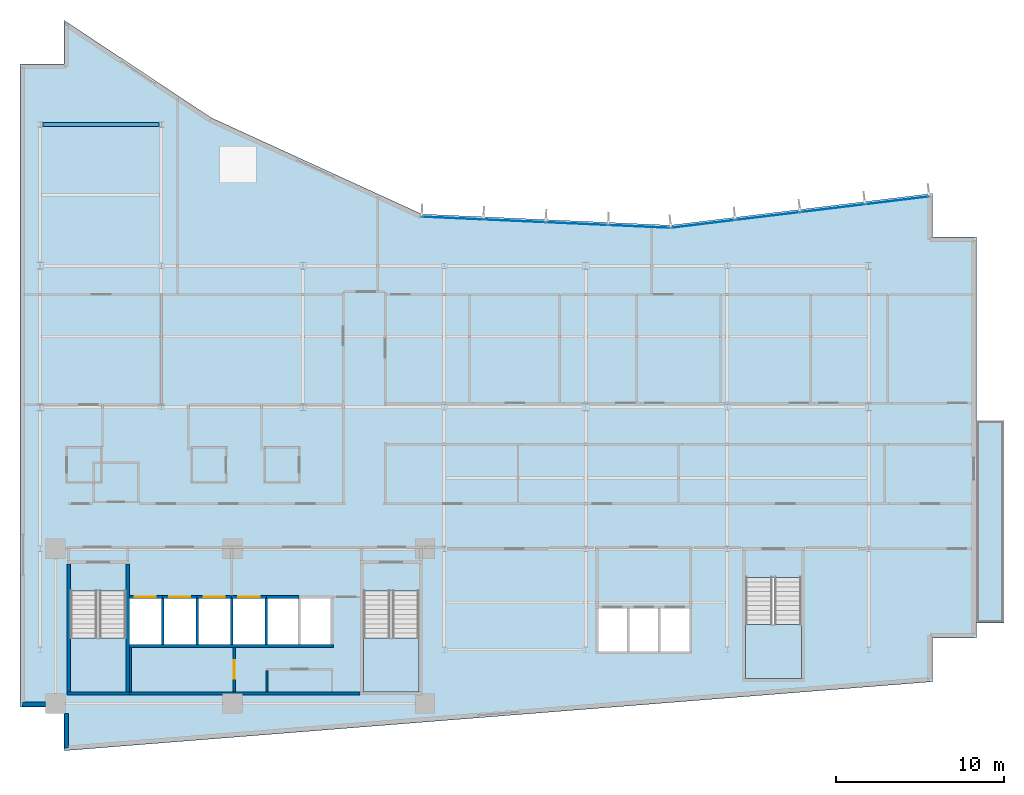
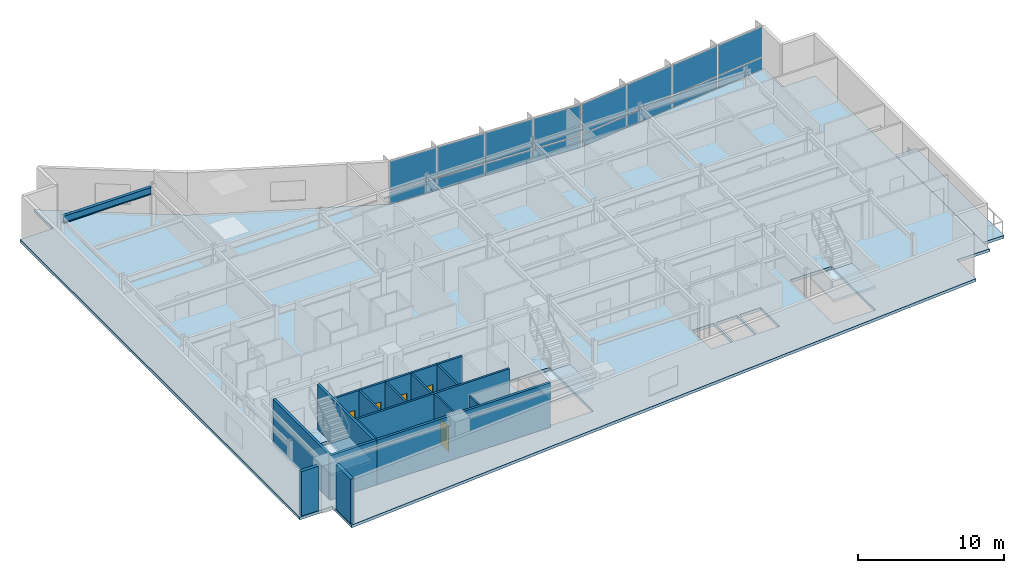
# One storey, part 9 of 18: 19 walls, 16 plates, 5 doors, 5 slabs, 1 beam, 5 openings, 5 elements without a shape of their own.
"""IFC4 building model written with IfcOpenShell, lengths in metres."""

from ifc_helpers import new_model, si_unit, direction, frame, frame_2d, origin, origin_2d, place, context, subcontext, project, spatial, polyline, rectangle, i_section, outline, extrude, material, layer, layer_set, material_profile, profile_set, type_object, element, fill, aggregate, save


model = new_model("IFC4")

# Units and contexts
model_context = context("Model", 3, precision=1e-05, world=origin(), true_north=direction((0.0, 1.0)))
body_context = subcontext(model_context, "Body", "Model", "MODEL_VIEW")
ifc_project = project(units=[si_unit("LENGTHUNIT", "METRE"), si_unit("AREAUNIT", "SQUARE_METRE"), si_unit("VOLUMEUNIT", "CUBIC_METRE"), si_unit("PLANEANGLEUNIT", "RADIAN"), si_unit("MASSUNIT", "GRAM", prefix="KILO")], contexts=[model_context])

# Site, building, storey
site_placement = place(None, origin())
site = spatial("IfcSite", under=ifc_project, at=site_placement, CompositionType="ELEMENT")
building_placement = place(site_placement, origin())
building = spatial("IfcBuilding", under=site, at=building_placement, Name="Varnakote Quay Hospital", CompositionType="ELEMENT")
storey_placement = place(building_placement, frame((0.0, 0.0, 150.75)))
storey = spatial("IfcBuildingStorey", under=building, at=storey_placement, Name="L37", CompositionType="ELEMENT", Elevation=150.75)

# Beam
ifc_material_1 = material(Name="Structural steel AS/NZS 3679.1 Grade 350 L0 (fy 340 MPa)", Category="steel")
ifc_material_profile = material_profile(ifc_material_1, i_section(OverallWidth=0.22802734375, OverallDepth=0.60205078125, WebThickness=0.010498046875, FlangeThickness=0.014892578125, FilletRadius=0.013916015625, at=origin_2d()), Name="610UB101")
ifc_profile_set = profile_set([ifc_material_profile], Name="Structural steel AS/NZS 3679.1 Grade 350 L0 (fy 340 MPa)")
beam_type = type_object("IfcBeamType", Name="BM-STL-610UB101", PredefinedType="BEAM", material=ifc_profile_set)
beam_placement = place(storey_placement, frame((1.353515625, 37.199951171875, 3.408935546875), z_axis=(1.0, 0.0, 0.0), x_axis=(0.0, 1.0, 0.0)))
element("IfcBeam", 1, at=beam_placement, inside=storey, type_object=beam_type, Name="L37 Primary Floor Beam", PredefinedType="BEAM", context=body_context, shape_type="SweptSolid", body=[
    extrude(i_section(OverallWidth=0.22802734375, OverallDepth=0.60205078125, WebThickness=0.010498046875, FlangeThickness=0.014892578125, FilletRadius=0.013916015625, at=origin_2d()), origin(), (0.0, 0.0, 1.0), 6.89306640625),
])

# Curtain wall, plates
ifc_material_2 = material(Name="Anodised aluminium 6063-T6 Bronze", Category="aluminium")
ifc_layer_1 = layer(ifc_material_2, 0.205078125)
ifc_layer_set_1 = layer_set([ifc_layer_1], Name="Anodised aluminium 6063-T6 Bronze")
curtain_wall_type = type_object("IfcCurtainWallType", Name="CW-SYS-3", PredefinedType="NOTDEFINED", material=ifc_layer_set_1)
curtain_wall_1_placement = place(storey_placement, origin())
curtain_wall_1 = element("IfcCurtainWall", 2, at=curtain_wall_1_placement, inside=storey, type_object=curtain_wall_type, Name="L37 Unitised Bronze Curtain Wall 1", PredefinedType="NOTDEFINED")
ifc_material_3 = material(Name="Double-glazed low-E solar glass", Category="glass")
ifc_layer_2 = layer(ifc_material_3, 0.028076171875)
ifc_layer_set_2 = layer_set([ifc_layer_2], Name="Double-glazed low-E solar glass")
plate_type = type_object("IfcPlateType", Name="CW-PNL-GLZ-28", PredefinedType="CURTAIN_PANEL", material=ifc_layer_set_2)
plate_1_placement = place(storey_placement, frame((52.09521484375, 32.68359375, 0.0751953125), z_axis=(0.0, 0.0, 1.0), x_axis=(-0.992734295067, -0.12032713492, 0.0)))
plate_1 = element("IfcPlate", 3, at=plate_1_placement, type_object=plate_type, Name="-3-L37-1 panel 1.1", PredefinedType="CURTAIN_PANEL", context=body_context, shape_type="SweptSolid", body=[
    extrude(rectangle(XDim=3.76806640625, YDim=0.028076171875, at=origin_2d()), origin(), (0.0, 0.0, 1.0), 0.987548828125),
])
plate_2_placement = place(storey_placement, frame((52.09521484375, 32.68359375, 1.137451171875), z_axis=(0.0, 0.0, 1.0), x_axis=(-0.992734295067, -0.12032713492, 0.0)))
plate_2 = element("IfcPlate", 4, at=plate_2_placement, type_object=plate_type, Name="-3-L37-1 panel 1.2", PredefinedType="CURTAIN_PANEL", context=body_context, shape_type="SweptSolid", body=[
    extrude(rectangle(XDim=3.76806640625, YDim=0.028076171875, at=origin_2d()), origin(), (0.0, 0.0, 1.0), 2.49755859375),
])
plate_3_placement = place(storey_placement, frame((48.26123046875, 32.218994140625, 0.0751953125), z_axis=(0.0, 0.0, 1.0), x_axis=(-0.992734295067, -0.12032713492, 0.0)))
plate_3 = element("IfcPlate", 5, at=plate_3_placement, type_object=plate_type, Name="-3-L37-1 panel 2.1", PredefinedType="CURTAIN_PANEL", context=body_context, shape_type="SweptSolid", body=[
    extrude(rectangle(XDim=3.8056640625, YDim=0.028076171875, at=origin_2d()), origin(), (0.0, 0.0, 1.0), 0.987548828125),
])
plate_4_placement = place(storey_placement, frame((48.26123046875, 32.218994140625, 1.137451171875), z_axis=(0.0, 0.0, 1.0), x_axis=(-0.992734295067, -0.12032713492, 0.0)))
plate_4 = element("IfcPlate", 6, at=plate_4_placement, type_object=plate_type, Name="-3-L37-1 panel 2.2", PredefinedType="CURTAIN_PANEL", context=body_context, shape_type="SweptSolid", body=[
    extrude(rectangle(XDim=3.8056640625, YDim=0.028076171875, at=origin_2d()), origin(), (0.0, 0.0, 1.0), 2.49755859375),
])
plate_5_placement = place(storey_placement, frame((44.40869140625, 31.751953125, 0.0751953125), z_axis=(0.0, 0.0, 1.0), x_axis=(-0.992734295067, -0.12032713492, 0.0)))
plate_5 = element("IfcPlate", 7, at=plate_5_placement, type_object=plate_type, Name="-3-L37-1 panel 3.1", PredefinedType="CURTAIN_PANEL", context=body_context, shape_type="SweptSolid", body=[
    extrude(rectangle(XDim=3.8056640625, YDim=0.028076171875, at=origin_2d()), origin(), (0.0, 0.0, 1.0), 0.987548828125),
])
plate_6_placement = place(storey_placement, frame((44.40869140625, 31.751953125, 1.137451171875), z_axis=(0.0, 0.0, 1.0), x_axis=(-0.992734295067, -0.12032713492, 0.0)))
plate_6 = element("IfcPlate", 8, at=plate_6_placement, type_object=plate_type, Name="-3-L37-1 panel 3.2", PredefinedType="CURTAIN_PANEL", context=body_context, shape_type="SweptSolid", body=[
    extrude(rectangle(XDim=3.8056640625, YDim=0.028076171875, at=origin_2d()), origin(), (0.0, 0.0, 1.0), 2.49755859375),
])
plate_7_placement = place(storey_placement, frame((40.574951171875, 31.287353515625, 0.0751953125), z_axis=(0.0, 0.0, 1.0), x_axis=(-0.992734295067, -0.12032713492, 0.0)))
plate_7 = element("IfcPlate", 9, at=plate_7_placement, type_object=plate_type, Name="-3-L37-1 panel 4.1", PredefinedType="CURTAIN_PANEL", context=body_context, shape_type="SweptSolid", body=[
    extrude(rectangle(XDim=3.76806640625, YDim=0.028076171875, at=origin_2d()), origin(), (0.0, 0.0, 1.0), 0.987548828125),
])
plate_8_placement = place(storey_placement, frame((40.574951171875, 31.287353515625, 1.137451171875), z_axis=(0.0, 0.0, 1.0), x_axis=(-0.992734295067, -0.12032713492, 0.0)))
plate_8 = element("IfcPlate", 10, at=plate_8_placement, type_object=plate_type, Name="-3-L37-1 panel 4.2", PredefinedType="CURTAIN_PANEL", context=body_context, shape_type="SweptSolid", body=[
    extrude(rectangle(XDim=3.76806640625, YDim=0.028076171875, at=origin_2d()), origin(), (0.0, 0.0, 1.0), 2.49755859375),
])
aggregate(curtain_wall_1, [plate_1, plate_2, plate_3, plate_4, plate_5, plate_6, plate_7, plate_8])

curtain_wall_2_placement = place(storey_placement, origin())
curtain_wall_2 = element("IfcCurtainWall", 11, at=curtain_wall_2_placement, inside=storey, type_object=curtain_wall_type, Name="L37 Unitised Bronze Curtain Wall 2", PredefinedType="NOTDEFINED")
plate_9_placement = place(storey_placement, frame((36.759765625, 31.135498046875, 0.0751953125), z_axis=(0.0, 0.0, 1.0), x_axis=(-0.998996768014, 0.044782334659, 0.0)))
plate_9 = element("IfcPlate", 12, at=plate_9_placement, type_object=plate_type, Name="-3-L37-2 panel 1.1", PredefinedType="CURTAIN_PANEL", context=body_context, shape_type="SweptSolid", body=[
    extrude(rectangle(XDim=3.59423828125, YDim=0.028076171875, at=origin_2d()), origin(), (0.0, 0.0, 1.0), 0.987548828125),
])
plate_10_placement = place(storey_placement, frame((36.759765625, 31.135498046875, 1.137451171875), z_axis=(0.0, 0.0, 1.0), x_axis=(-0.998996768014, 0.044782334659, 0.0)))
plate_10 = element("IfcPlate", 13, at=plate_10_placement, type_object=plate_type, Name="-3-L37-2 panel 1.2", PredefinedType="CURTAIN_PANEL", context=body_context, shape_type="SweptSolid", body=[
    extrude(rectangle(XDim=3.59423828125, YDim=0.028076171875, at=origin_2d()), origin(), (0.0, 0.0, 1.0), 2.49755859375),
])
plate_11_placement = place(storey_placement, frame((33.075439453125, 31.300537109375, 0.0751953125), z_axis=(0.0, 0.0, 1.0), x_axis=(-0.998996768014, 0.044782334659, 0.0)))
plate_11 = element("IfcPlate", 14, at=plate_11_placement, type_object=plate_type, Name="-3-L37-2 panel 2.1", PredefinedType="CURTAIN_PANEL", context=body_context, shape_type="SweptSolid", body=[
    extrude(rectangle(XDim=3.6318359375, YDim=0.028076171875, at=origin_2d()), origin(), (0.0, 0.0, 1.0), 0.987548828125),
])
plate_12_placement = place(storey_placement, frame((33.075439453125, 31.300537109375, 1.137451171875), z_axis=(0.0, 0.0, 1.0), x_axis=(-0.998996768014, 0.044782334659, 0.0)))
plate_12 = element("IfcPlate", 15, at=plate_12_placement, type_object=plate_type, Name="-3-L37-2 panel 2.2", PredefinedType="CURTAIN_PANEL", context=body_context, shape_type="SweptSolid", body=[
    extrude(rectangle(XDim=3.6318359375, YDim=0.028076171875, at=origin_2d()), origin(), (0.0, 0.0, 1.0), 2.49755859375),
])
plate_13_placement = place(storey_placement, frame((29.372314453125, 31.466552734375, 0.0751953125), z_axis=(0.0, 0.0, 1.0), x_axis=(-0.998996768014, 0.044782334659, 0.0)))
plate_13 = element("IfcPlate", 16, at=plate_13_placement, type_object=plate_type, Name="-3-L37-2 panel 3.1", PredefinedType="CURTAIN_PANEL", context=body_context, shape_type="SweptSolid", body=[
    extrude(rectangle(XDim=3.6318359375, YDim=0.028076171875, at=origin_2d()), origin(), (0.0, 0.0, 1.0), 0.987548828125),
])
plate_14_placement = place(storey_placement, frame((29.372314453125, 31.466552734375, 1.137451171875), z_axis=(0.0, 0.0, 1.0), x_axis=(-0.998996768014, 0.044782334659, 0.0)))
plate_14 = element("IfcPlate", 17, at=plate_14_placement, type_object=plate_type, Name="-3-L37-2 panel 3.2", PredefinedType="CURTAIN_PANEL", context=body_context, shape_type="SweptSolid", body=[
    extrude(rectangle(XDim=3.6318359375, YDim=0.028076171875, at=origin_2d()), origin(), (0.0, 0.0, 1.0), 2.49755859375),
])
plate_15_placement = place(storey_placement, frame((25.68798828125, 31.6318359375, 0.0751953125), z_axis=(0.0, 0.0, 1.0), x_axis=(-0.998996768014, 0.044782334659, 0.0)))
plate_15 = element("IfcPlate", 18, at=plate_15_placement, type_object=plate_type, Name="-3-L37-2 panel 4.1", PredefinedType="CURTAIN_PANEL", context=body_context, shape_type="SweptSolid", body=[
    extrude(rectangle(XDim=3.59423828125, YDim=0.028076171875, at=origin_2d()), origin(), (0.0, 0.0, 1.0), 0.987548828125),
])
plate_16_placement = place(storey_placement, frame((25.68798828125, 31.6318359375, 1.137451171875), z_axis=(0.0, 0.0, 1.0), x_axis=(-0.998996768014, 0.044782334659, 0.0)))
plate_16 = element("IfcPlate", 19, at=plate_16_placement, type_object=plate_type, Name="-3-L37-2 panel 4.2", PredefinedType="CURTAIN_PANEL", context=body_context, shape_type="SweptSolid", body=[
    extrude(rectangle(XDim=3.59423828125, YDim=0.028076171875, at=origin_2d()), origin(), (0.0, 0.0, 1.0), 2.49755859375),
])
aggregate(curtain_wall_2, [plate_9, plate_10, plate_11, plate_12, plate_13, plate_14, plate_15, plate_16])

# Stair, slab
ifc_material_4 = material(Name="Concrete N40 (f'c 40 MPa)", Category="concrete")
stair_type = type_object("IfcStairType", Name="STR-CORE-1580", PredefinedType="HALF_TURN_STAIR", material=ifc_material_4)
stair_1_placement = place(storey_placement, origin())
stair_1 = element("IfcStair", 20, at=stair_1_placement, inside=storey, type_object=stair_type, Name="L37 Fire-Isolated Exit Stair ST-01", PredefinedType="HALF_TURN_STAIR")
ifc_material_5 = material(Name="Concrete N40 (f'c 40 MPa)", Category="concrete")
ifc_layer_3 = layer(ifc_material_5, 0.199951171875)
ifc_layer_set_3 = layer_set([ifc_layer_3], Name="Concrete N40 (f'c 40 MPa)")
slab_type_1 = type_object("IfcSlabType", Name="SLB-STAIR-LND-200", PredefinedType="LANDING", material=ifc_layer_set_3)
slab_1_placement = place(storey_placement, frame((0.0, 0.0, 1.77490234375)))
slab_1 = element("IfcSlab", 21, at=slab_1_placement, type_object=slab_type_1, Name="ST-01 landing 1", PredefinedType="LANDING", context=body_context, shape_type="SweptSolid", body=[
    extrude(outline(polyline([(3.0, 6.699951171875), (3.0, 3.5), (6.300048828125, 3.5), (6.300048828125, 6.699951171875), (3.0, 6.699951171875)])), origin(), (0.0, 0.0, 1.0), 0.2001953125),
])
aggregate(stair_1, [slab_1])

stair_2_placement = place(storey_placement, origin())
stair_2 = element("IfcStair", 22, at=stair_2_placement, inside=storey, type_object=stair_type, Name="L37 Fire-Isolated Exit Stair ST-02", PredefinedType="HALF_TURN_STAIR")
slab_2_placement = place(storey_placement, frame((0.0, 0.0, 1.77490234375)))
slab_2 = element("IfcSlab", 23, at=slab_2_placement, type_object=slab_type_1, Name="ST-02 landing 1", PredefinedType="LANDING", context=body_context, shape_type="SweptSolid", body=[
    extrude(outline(polyline([(20.39990234375, 6.699951171875), (20.39990234375, 3.5), (23.699951171875, 3.5), (23.699951171875, 6.699951171875), (20.39990234375, 6.699951171875)])), origin(), (0.0, 0.0, 1.0), 0.2001953125),
])
aggregate(stair_2, [slab_2])

stair_3_placement = place(storey_placement, origin())
stair_3 = element("IfcStair", 24, at=stair_3_placement, inside=storey, type_object=stair_type, Name="L37 Fire-Isolated Exit Stair ST-03", PredefinedType="HALF_TURN_STAIR")
slab_3_placement = place(storey_placement, frame((0.0, 0.0, 1.77490234375)))
slab_3 = element("IfcSlab", 25, at=slab_3_placement, type_object=slab_type_1, Name="ST-03 landing 1", PredefinedType="LANDING", context=body_context, shape_type="SweptSolid", body=[
    extrude(outline(polyline([(43.10009765625, 7.5), (43.10009765625, 4.300048828125), (46.39990234375, 4.300048828125), (46.39990234375, 7.5), (43.10009765625, 7.5)])), origin(), (0.0, 0.0, 1.0), 0.2001953125),
])
aggregate(stair_3, [slab_3])

# Slabs
ifc_material_6 = material(Name="Concrete N50 (f'c 50 MPa)", Category="concrete")
ifc_layer_4 = layer(ifc_material_6, 0.239990234375)
ifc_layer_set_4 = layer_set([ifc_layer_4], Name="Concrete N50 (f'c 50 MPa)")
slab_type_2 = type_object("IfcSlabType", Name="SLB-TERR-200", PredefinedType="FLOOR", material=ifc_layer_set_4)
slab_4_placement = place(storey_placement, frame((0.0, 0.0, -0.239990234375)))
element("IfcSlab", 26, at=slab_4_placement, inside=storey, type_object=slab_type_2, Name="L37 Waterfront Healing Terrace Slab", PredefinedType="FLOOR", context=body_context, shape_type="SweptSolid", body=[
    extrude(outline(polyline([(56.7958984375, 7.60009765625), (58.43994140625, 7.60009765625), (58.43994140625, 19.60009765625), (56.7958984375, 19.60009765625), (56.7958984375, 7.60009765625)])), origin(), (0.0, 0.0, 1.0), 0.239990234375),
])
ifc_material_7 = material(Name="Concrete N50 (f'c 50 MPa)", Category="concrete")
ifc_layer_5 = layer(ifc_material_7, 0.239990234375)
ifc_layer_set_5 = layer_set([ifc_layer_5], Name="Concrete N50 (f'c 50 MPa)")
slab_type_3 = type_object("IfcSlabType", Name="SLB-WARD-200", PredefinedType="FLOOR", material=ifc_layer_set_5)
slab_5_placement = place(storey_placement, frame((0.0, 0.0, -0.239990234375)))
element("IfcSlab", 27, at=slab_5_placement, inside=storey, type_object=slab_type_3, Name="L37 Primary Floor Slab", PredefinedType="FLOOR", context=body_context, shape_type="SweptSolid", body=[
    extrude(outline(polyline([(0.0, 2.60009765625), (2.60009765625, 2.60009765625), (2.60009765625, 0.0), (54.199951171875, 4.10009765625), (54.199951171875, 6.699951171875), (56.800048828125, 6.699951171875), (56.800048828125, 30.5), (54.199951171875, 30.5), (54.199951171875, 33.10009765625), (38.6240234375, 31.2119140625), (23.85595703125, 31.8740234375), (11.360107421875, 37.595947265625), (2.60009765625, 43.39990234375), (2.60009765625, 40.800048828125), (0.0, 40.800048828125), (0.0, 2.60009765625)]), holes=[polyline([(3.0, 3.5), (6.300048828125, 3.5), (6.300048828125, 9.49951171875), (3.0, 9.49951171875), (3.0, 3.5)]), polyline([(20.39990234375, 3.5), (23.699951171875, 3.5), (23.699951171875, 9.49951171875), (20.39990234375, 9.49951171875), (20.39990234375, 3.5)]), polyline([(43.10009765625, 4.300048828125), (46.39990234375, 4.300048828125), (46.39990234375, 10.29931640625), (43.10009765625, 10.29931640625), (43.10009765625, 4.300048828125)]), polyline([(6.5, 6.300048828125), (8.39990234375, 6.300048828125), (8.39990234375, 9.050048828125), (6.5, 9.050048828125), (6.5, 6.300048828125)]), polyline([(8.550048828125, 6.300048828125), (10.449951171875, 6.300048828125), (10.449951171875, 9.050048828125), (8.550048828125, 9.050048828125), (8.550048828125, 6.300048828125)]), polyline([(10.60009765625, 6.300048828125), (12.5, 6.300048828125), (12.5, 9.050048828125), (10.60009765625, 9.050048828125), (10.60009765625, 6.300048828125)]), polyline([(12.64990234375, 6.300048828125), (14.550048828125, 6.300048828125), (14.550048828125, 9.050048828125), (12.64990234375, 9.050048828125), (12.64990234375, 6.300048828125)]), polyline([(14.699951171875, 6.300048828125), (16.5, 6.300048828125), (16.5, 9.050048828125), (14.699951171875, 9.050048828125), (14.699951171875, 6.300048828125)]), polyline([(16.64990234375, 6.300048828125), (18.449951171875, 6.300048828125), (18.449951171875, 9.050048828125), (16.64990234375, 9.050048828125), (16.64990234375, 6.300048828125)]), polyline([(34.35009765625, 5.89990234375), (36.050048828125, 5.89990234375), (36.050048828125, 8.449951171875), (34.35009765625, 8.449951171875), (34.35009765625, 5.89990234375)]), polyline([(36.199951171875, 5.89990234375), (37.89990234375, 5.89990234375), (37.89990234375, 8.449951171875), (36.199951171875, 8.449951171875), (36.199951171875, 5.89990234375)]), polyline([(38.050048828125, 5.89990234375), (39.75, 5.89990234375), (39.75, 8.449951171875), (38.050048828125, 8.449951171875), (38.050048828125, 5.89990234375)])]), origin(), (0.0, 0.0, 1.0), 0.239990234375),
])

# Walls
ifc_material_8 = material(Name="Concrete N65 (f'c 65 MPa)", Category="concrete")
ifc_layer_6 = layer(ifc_material_8, 0.199951171875)
ifc_layer_set_6 = layer_set([ifc_layer_6], Name="Concrete N65 (f'c 65 MPa)")
wall_type_1 = type_object("IfcWallType", Name="WL-CORE-N65-200", PredefinedType="SHEAR", material=ifc_layer_set_6)
wall_1_placement = place(storey_placement, frame((6.5, 3.39990234375, 0.0), z_axis=(0.0, 0.0, 1.0), x_axis=(1.0, 0.0, 0.0)))
element("IfcWall", 28, at=wall_1_placement, inside=storey, type_object=wall_type_1, Name="L37 Rear Core South Shear Wall", PredefinedType="SHEAR", context=body_context, shape_type="SweptSolid", body=[
    extrude(rectangle(XDim=13.699951171875, YDim=0.199951171875, at=frame_2d((6.85009765625, 0.0))), origin(), (0.0, 0.0, 1.0), 3.7099609375),
])
ifc_material_9 = material(Name="Precast concrete N50 (f'c 50 MPa)", Category="concrete")
ifc_layer_7 = layer(ifc_material_9, 0.260009765625)
ifc_layer_set_7 = layer_set([ifc_layer_7], Name="Precast concrete N50 (f'c 50 MPa)")
wall_type_2 = type_object("IfcWallType", Name="WL-EXT-BRICK-260", PredefinedType="STANDARD", material=ifc_layer_set_7)
wall_2_placement = place(storey_placement, frame((2.760009765625, 2.215087890625, 0.0), z_axis=(0.0, 0.0, 1.0), x_axis=(0.0, -1.0, 0.0)))
element("IfcWall", 29, at=wall_2_placement, inside=storey, type_object=wall_type_2, Name="L37 Brick-Faced Precast Exterior Wall", PredefinedType="STANDARD", context=body_context, shape_type="SweptSolid", body=[
    extrude(rectangle(XDim=2.0419921875, YDim=0.260009765625, at=frame_2d((1.02099609375, 0.0))), origin(), (0.0, 0.0, 1.0), 3.7099609375),
])
wall_3_placement = place(storey_placement, frame((0.159912109375, 2.760009765625, 0.0), z_axis=(0.0, 0.0, 1.0), x_axis=(1.0, 0.0, 0.0)))
element("IfcWall", 30, at=wall_3_placement, inside=storey, type_object=wall_type_2, Name="L37 Brick-Faced Precast Exterior Wall", PredefinedType="STANDARD", context=body_context, shape_type="SweptSolid", body=[
    extrude(rectangle(XDim=1.35498046875, YDim=0.260009765625, at=frame_2d((0.677490234375, 0.0))), origin(), (0.0, 0.0, 1.0), 3.7099609375),
])
ifc_material_10 = material(Name="Concrete N50 (f'c 50 MPa)", Category="concrete")
ifc_layer_8 = layer(ifc_material_10, 0.14990234375)
ifc_layer_set_8 = layer_set([ifc_layer_8], Name="Concrete N50 (f'c 50 MPa)")
wall_type_3 = type_object("IfcWallType", Name="WL-SHAFT-N50-150", PredefinedType="SHEAR", material=ifc_layer_set_8)
for number, where, z_axis, x_axis, name in (
    (31, (8.47509765625, 6.300048828125, 0.0), (0.0, 0.0, 1.0), (0.0, 1.0, 0.0), "L37 LF-FF1 Hoistway Divider Wall"),
    (32, (10.52490234375, 6.300048828125, 0.0), (0.0, 0.0, 1.0), (0.0, 1.0, 0.0), "L37 LF-FF2 Hoistway Divider Wall"),
    (33, (12.574951171875, 6.300048828125, 0.0), (0.0, 0.0, 1.0), (0.0, 1.0, 0.0), "L37 LF-SV1 Hoistway Divider Wall"),
    (34, (14.625, 6.300048828125, 0.0), (0.0, 0.0, 1.0), (0.0, 1.0, 0.0), "L37 LF-SV2 Hoistway Divider Wall"),
):
    element("IfcWall", number, at=place(storey_placement, frame(where, z_axis=z_axis, x_axis=x_axis)), inside=storey, type_object=wall_type_3, Name=name, PredefinedType="SHEAR", context=body_context, shape_type="SweptSolid", body=[
        extrude(rectangle(XDim=2.75, YDim=0.14990234375, at=frame_2d((1.375, 0.0))), origin(), (0.0, 0.0, 1.0), 3.7099609375),
    ])
ifc_material_11 = material(Name="Concrete N50 (f'c 50 MPa)", Category="concrete")
ifc_layer_9 = layer(ifc_material_11, 0.159912109375)
ifc_layer_set_9 = layer_set([ifc_layer_9], Name="Concrete N50 (f'c 50 MPa)")
wall_type_4 = type_object("IfcWallType", Name="WL-SHAFT-N50-160", PredefinedType="SHEAR", material=ifc_layer_set_9)
wall_4_placement = place(storey_placement, frame((6.5, 6.219970703125, 0.0), z_axis=(0.0, 0.0, 1.0), x_axis=(1.0, 0.0, 0.0)))
element("IfcWall", 35, at=wall_4_placement, inside=storey, type_object=wall_type_4, Name="L37 REAR Lift Bank Back Shear Wall", PredefinedType="SHEAR", context=body_context, shape_type="SweptSolid", body=[
    extrude(rectangle(XDim=12.110107421875, YDim=0.159912109375, at=frame_2d((6.05517578125, 0.0))), origin(), (0.0, 0.0, 1.0), 3.7099609375),
])

# Wall, opening, door
wall_5_placement = place(storey_placement, frame((6.5, 9.1298828125, 0.0), z_axis=(0.0, 0.0, 1.0), x_axis=(1.0, 0.0, 0.0)))
wall_5 = element("IfcWall", 36, at=wall_5_placement, inside=storey, type_object=wall_type_4, Name="L37 LF-FF1 Hoistway Front Wall", PredefinedType="SHEAR", context=body_context, shape_type="SweptSolid", body=[
    extrude(rectangle(XDim=1.97509765625, YDim=0.159912109375, at=frame_2d((0.987548828125, 0.0))), origin(), (0.0, 0.0, 1.0), 3.7099609375),
])
opening_1_placement = place(wall_5_placement, frame((0.324951171875, 0.0, 0.0)))
opening_1 = element("IfcOpeningElement", 37, at=opening_1_placement, cuts=wall_5, Name="Opening LD-FF1-L37", PredefinedType="OPENING", context=body_context, shape_type="SweptSolid", body=[
    extrude(rectangle(XDim=1.25, YDim=2.14990234375, at=frame_2d((0.625, 1.074951171875))), frame((0.0, 0.08984375, 0.0), z_axis=(0.0, -1.0, 0.0), x_axis=(1.0, 0.0, 0.0)), (0.0, 0.0, 1.0), 0.179931640625),
])
ifc_material_12 = material(Name="Stainless steel lift landing sliding door", Category="steel")
door_type_1 = type_object("IfcDoorType", Name="DR-LIFT-LD-1250x2150", OperationType="NOTDEFINED", PredefinedType="DOOR", material=ifc_material_12)
door_1_placement = place(opening_1_placement, origin())
door_1 = element("IfcDoor", 38, at=door_1_placement, inside=storey, type_object=door_type_1, Name="L37 LF-FF1 Lift Landing Sliding Door", OperationType="SLIDING_TO_LEFT", OverallHeight=2.14990234375, OverallWidth=1.25, PredefinedType="DOOR", context=body_context, shape_type="SweptSolid", body=[
    extrude(rectangle(XDim=1.25, YDim=2.14990234375, at=frame_2d((0.625, 1.074951171875))), frame((0.0, 0.02490234375, 0.0), z_axis=(0.0, -1.0, 0.0), x_axis=(1.0, 0.0, 0.0)), (0.0, 0.0, 1.0), 0.050048828125),
])
fill(opening_1, door_1)

wall_6_placement = place(storey_placement, frame((8.47509765625, 9.1298828125, 0.0), z_axis=(0.0, 0.0, 1.0), x_axis=(1.0, 0.0, 0.0)))
wall_6 = element("IfcWall", 39, at=wall_6_placement, inside=storey, type_object=wall_type_4, Name="L37 LF-FF2 Hoistway Front Wall", PredefinedType="SHEAR", context=body_context, shape_type="SweptSolid", body=[
    extrude(rectangle(XDim=2.0498046875, YDim=0.159912109375, at=frame_2d((1.02490234375, 0.0))), origin(), (0.0, 0.0, 1.0), 3.7099609375),
])
opening_2_placement = place(wall_6_placement, frame((0.39990234375, 0.0, 0.0)))
opening_2 = element("IfcOpeningElement", 40, at=opening_2_placement, cuts=wall_6, Name="Opening LD-FF2-L37", PredefinedType="OPENING", context=body_context, shape_type="SweptSolid", body=[
    extrude(rectangle(XDim=1.25, YDim=2.14990234375, at=frame_2d((0.625, 1.074951171875))), frame((0.0, 0.08984375, 0.0), z_axis=(0.0, -1.0, 0.0), x_axis=(1.0, 0.0, 0.0)), (0.0, 0.0, 1.0), 0.179931640625),
])
door_2_placement = place(opening_2_placement, origin())
door_2 = element("IfcDoor", 41, at=door_2_placement, inside=storey, type_object=door_type_1, Name="L37 LF-FF2 Lift Landing Sliding Door", OperationType="SLIDING_TO_LEFT", OverallHeight=2.14990234375, OverallWidth=1.25, PredefinedType="DOOR", context=body_context, shape_type="SweptSolid", body=[
    extrude(rectangle(XDim=1.25, YDim=2.14990234375, at=frame_2d((0.625, 1.074951171875))), frame((0.0, 0.02490234375, 0.0), z_axis=(0.0, -1.0, 0.0), x_axis=(1.0, 0.0, 0.0)), (0.0, 0.0, 1.0), 0.050048828125),
])
fill(opening_2, door_2)

wall_7_placement = place(storey_placement, frame((10.52490234375, 9.1298828125, 0.0), z_axis=(0.0, 0.0, 1.0), x_axis=(1.0, 0.0, 0.0)))
wall_7 = element("IfcWall", 42, at=wall_7_placement, inside=storey, type_object=wall_type_4, Name="L37 LF-SV1 Hoistway Front Wall", PredefinedType="SHEAR", context=body_context, shape_type="SweptSolid", body=[
    extrude(rectangle(XDim=2.050048828125, YDim=0.159912109375, at=frame_2d((1.02490234375, 0.0))), origin(), (0.0, 0.0, 1.0), 3.7099609375),
])
opening_3_placement = place(wall_7_placement, frame((0.39990234375, 0.0, 0.0)))
opening_3 = element("IfcOpeningElement", 43, at=opening_3_placement, cuts=wall_7, Name="Opening LD-SV1-L37", PredefinedType="OPENING", context=body_context, shape_type="SweptSolid", body=[
    extrude(rectangle(XDim=1.25, YDim=2.14990234375, at=frame_2d((0.625, 1.074951171875))), frame((0.0, 0.08984375, 0.0), z_axis=(0.0, -1.0, 0.0), x_axis=(1.0, 0.0, 0.0)), (0.0, 0.0, 1.0), 0.179931640625),
])
door_3_placement = place(opening_3_placement, origin())
door_3 = element("IfcDoor", 44, at=door_3_placement, inside=storey, type_object=door_type_1, Name="L37 LF-SV1 Lift Landing Sliding Door", OperationType="SLIDING_TO_LEFT", OverallHeight=2.14990234375, OverallWidth=1.25, PredefinedType="DOOR", context=body_context, shape_type="SweptSolid", body=[
    extrude(rectangle(XDim=1.25, YDim=2.14990234375, at=frame_2d((0.625, 1.074951171875))), frame((0.0, 0.02490234375, 0.0), z_axis=(0.0, -1.0, 0.0), x_axis=(1.0, 0.0, 0.0)), (0.0, 0.0, 1.0), 0.050048828125),
])
fill(opening_3, door_3)

wall_8_placement = place(storey_placement, frame((12.574951171875, 9.1298828125, 0.0), z_axis=(0.0, 0.0, 1.0), x_axis=(1.0, 0.0, 0.0)))
wall_8 = element("IfcWall", 45, at=wall_8_placement, inside=storey, type_object=wall_type_4, Name="L37 LF-SV2 Hoistway Front Wall", PredefinedType="SHEAR", context=body_context, shape_type="SweptSolid", body=[
    extrude(rectangle(XDim=2.050048828125, YDim=0.159912109375, at=frame_2d((1.02490234375, 0.0))), origin(), (0.0, 0.0, 1.0), 3.7099609375),
])
opening_4_placement = place(wall_8_placement, frame((0.39990234375, 0.0, 0.0)))
opening_4 = element("IfcOpeningElement", 46, at=opening_4_placement, cuts=wall_8, Name="Opening LD-SV2-L37", PredefinedType="OPENING", context=body_context, shape_type="SweptSolid", body=[
    extrude(rectangle(XDim=1.25, YDim=2.14990234375, at=frame_2d((0.625, 1.074951171875))), frame((0.0, 0.08984375, 0.0), z_axis=(0.0, -1.0, 0.0), x_axis=(1.0, 0.0, 0.0)), (0.0, 0.0, 1.0), 0.179931640625),
])
door_4_placement = place(opening_4_placement, origin())
door_4 = element("IfcDoor", 47, at=door_4_placement, inside=storey, type_object=door_type_1, Name="L37 LF-SV2 Lift Landing Sliding Door", OperationType="SLIDING_TO_LEFT", OverallHeight=2.14990234375, OverallWidth=1.25, PredefinedType="DOOR", context=body_context, shape_type="SweptSolid", body=[
    extrude(rectangle(XDim=1.25, YDim=2.14990234375, at=frame_2d((0.625, 1.074951171875))), frame((0.0, 0.02490234375, 0.0), z_axis=(0.0, -1.0, 0.0), x_axis=(1.0, 0.0, 0.0)), (0.0, 0.0, 1.0), 0.050048828125),
])
fill(opening_4, door_4)

# Walls
wall_9_placement = place(storey_placement, frame((14.625, 9.1298828125, 0.0), z_axis=(0.0, 0.0, 1.0), x_axis=(1.0, 0.0, 0.0)))
element("IfcWall", 48, at=wall_9_placement, inside=storey, type_object=wall_type_4, Name="L37 LF-PH1 Hoistway Front Wall", PredefinedType="SHEAR", context=body_context, shape_type="SweptSolid", body=[
    extrude(rectangle(XDim=1.949951171875, YDim=0.159912109375, at=frame_2d((0.97509765625, 0.0))), origin(), (0.0, 0.0, 1.0), 3.7099609375),
])
ifc_material_13 = material(Name="Concrete N50 (f'c 50 MPa)", Category="concrete")
ifc_layer_10 = layer(ifc_material_13, 0.199951171875)
ifc_layer_set_10 = layer_set([ifc_layer_10], Name="Concrete N50 (f'c 50 MPa)")
wall_type_5 = type_object("IfcWallType", Name="WL-SHAFT-N50-200", PredefinedType="SHEAR", material=ifc_layer_set_10)
wall_10_placement = place(storey_placement, frame((2.800048828125, 3.39990234375, 0.0), z_axis=(0.0, 0.0, 1.0), x_axis=(1.0, 0.0, 0.0)))
element("IfcWall", 49, at=wall_10_placement, inside=storey, type_object=wall_type_5, Name="L37 Stair ST1 South Shaft Wall", PredefinedType="SHEAR", context=body_context, shape_type="SweptSolid", body=[
    extrude(rectangle(XDim=3.699951171875, YDim=0.199951171875, at=frame_2d((1.85009765625, 0.0))), origin(), (0.0, 0.0, 1.0), 3.7099609375),
])
for number, where, z_axis, x_axis, name in (
    (50, (2.89990234375, 3.5, 0.0), (0.0, 0.0, 1.0), (0.0, 1.0, 0.0), "L37 Stair ST1 West Shaft Wall"),
    (51, (6.39990234375, 3.5, 0.0), (0.0, 0.0, 1.0), (0.0, 1.0, 0.0), "L37 Stair ST1 East Shaft Wall"),
):
    element("IfcWall", number, at=place(storey_placement, frame(where, z_axis=z_axis, x_axis=x_axis)), inside=storey, type_object=wall_type_5, Name=name, PredefinedType="SHEAR", context=body_context, shape_type="SweptSolid", body=[
        extrude(rectangle(XDim=7.60009765625, YDim=0.199951171875, at=frame_2d((3.800048828125, 0.0))), origin(), (0.0, 0.0, 1.0), 3.7099609375),
    ])
ifc_material_14 = material(Name="Smoke-proof clinical partition", Category="gypsum")
ifc_layer_11 = layer(ifc_material_14, 0.1201171875)
ifc_layer_set_11 = layer_set([ifc_layer_11], Name="Smoke-proof clinical partition")
wall_type_6 = type_object("IfcWallType", Name="WL-SMOKE-120", PredefinedType="PARTITIONING", material=ifc_layer_set_11)
wall_11_placement = place(storey_placement, frame((6.56005859375, 3.52001953125, 0.0), z_axis=(0.0, 0.0, 1.0), x_axis=(0.0, 1.0, 0.0)))
element("IfcWall", 52, at=wall_11_placement, inside=storey, type_object=wall_type_6, Name="L37 Core West Store West Wall", PredefinedType="PARTITIONING", context=body_context, shape_type="SweptSolid", body=[
    extrude(rectangle(XDim=2.619873046875, YDim=0.1201171875, at=frame_2d((1.31005859375, 0.0))), origin(), (0.0, 0.0, 1.0), 3.7099609375),
])
wall_12_placement = place(storey_placement, frame((14.669921875, 3.52001953125, 0.0), z_axis=(0.0, 0.0, 1.0), x_axis=(0.0, 1.0, 0.0)))
element("IfcWall", 53, at=wall_12_placement, inside=storey, type_object=wall_type_6, Name="L37 Core WC West Wall", PredefinedType="PARTITIONING", context=body_context, shape_type="SweptSolid", body=[
    extrude(rectangle(XDim=1.260009765625, YDim=0.1201171875, at=frame_2d((0.6298828125, 0.0))), origin(), (0.0, 0.0, 1.0), 3.7099609375),
])

# Wall, opening, door
ifc_material_15 = material(Name="Fire-rated clinical gypsum partition", Category="gypsum")
ifc_layer_12 = layer(ifc_material_15, 0.139892578125)
ifc_layer_set_12 = layer_set([ifc_layer_12], Name="Fire-rated clinical gypsum partition")
wall_type_7 = type_object("IfcWallType", Name="WL-WARD-140", PredefinedType="PARTITIONING", material=ifc_layer_set_12)
wall_13_placement = place(storey_placement, frame((12.72998046875, 3.52001953125, 0.0), z_axis=(0.0, 0.0, 1.0), x_axis=(0.0, 1.0, 0.0)))
wall_13 = element("IfcWall", 54, at=wall_13_placement, inside=storey, type_object=wall_type_7, Name="L37 Core Clean Equipment Store East Wall", PredefinedType="PARTITIONING", context=body_context, shape_type="SweptSolid", body=[
    extrude(rectangle(XDim=2.619873046875, YDim=0.139892578125, at=frame_2d((1.31005859375, 0.0))), origin(), (0.0, 0.0, 1.0), 3.7099609375),
])
opening_5_placement = place(wall_13_placement, frame((0.760009765625, 0.0, 0.0)))
opening_5 = element("IfcOpeningElement", 55, at=opening_5_placement, cuts=wall_13, Name="Opening D-L37-CR01", PredefinedType="OPENING", context=body_context, shape_type="SweptSolid", body=[
    extrude(rectangle(XDim=1.10009765625, YDim=2.10009765625, at=frame_2d((0.550048828125, 1.050048828125))), frame((0.0, 0.079833984375, 0.0), z_axis=(0.0, -1.0, 0.0), x_axis=(1.0, 0.0, 0.0)), (0.0, 0.0, 1.0), 0.159912109375),
])
ifc_material_16 = material(Name="Acoustic timber clinical consult door", Category="wood")
door_type_2 = type_object("IfcDoorType", Name="DR-CLIN-FD30S-1100x2100", OperationType="NOTDEFINED", PredefinedType="DOOR", material=ifc_material_16)
door_5_placement = place(opening_5_placement, origin())
door_5 = element("IfcDoor", 56, at=door_5_placement, inside=storey, type_object=door_type_2, Name="L37 Core Clean Equipment Store Door", OperationType="SINGLE_SWING_RIGHT", OverallHeight=2.10009765625, OverallWidth=1.10009765625, PredefinedType="DOOR", context=body_context, shape_type="SweptSolid", body=[
    extrude(rectangle(XDim=1.10009765625, YDim=2.10009765625, at=frame_2d((0.550048828125, 1.050048828125))), frame((0.0, 0.02490234375, 0.0), z_axis=(0.0, -1.0, 0.0), x_axis=(1.0, 0.0, 0.0)), (0.0, 0.0, 1.0), 0.050048828125),
])
fill(opening_5, door_5)

save(model, "model.ifc")
